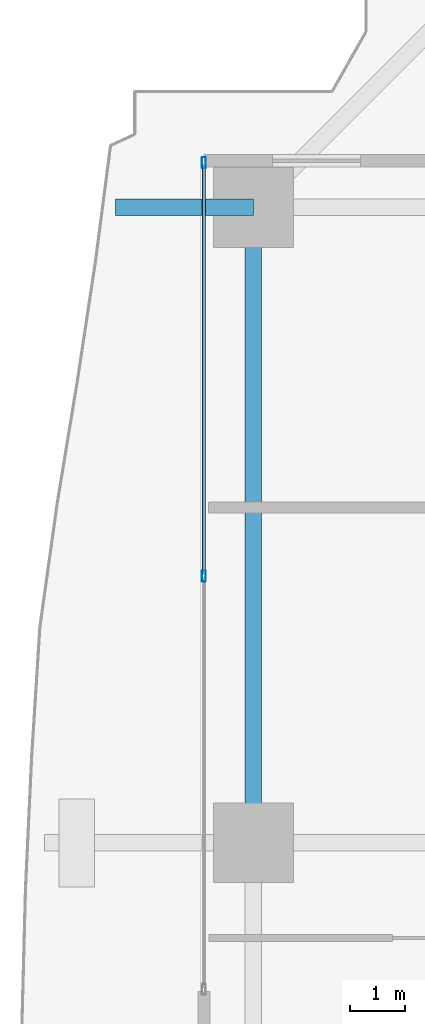
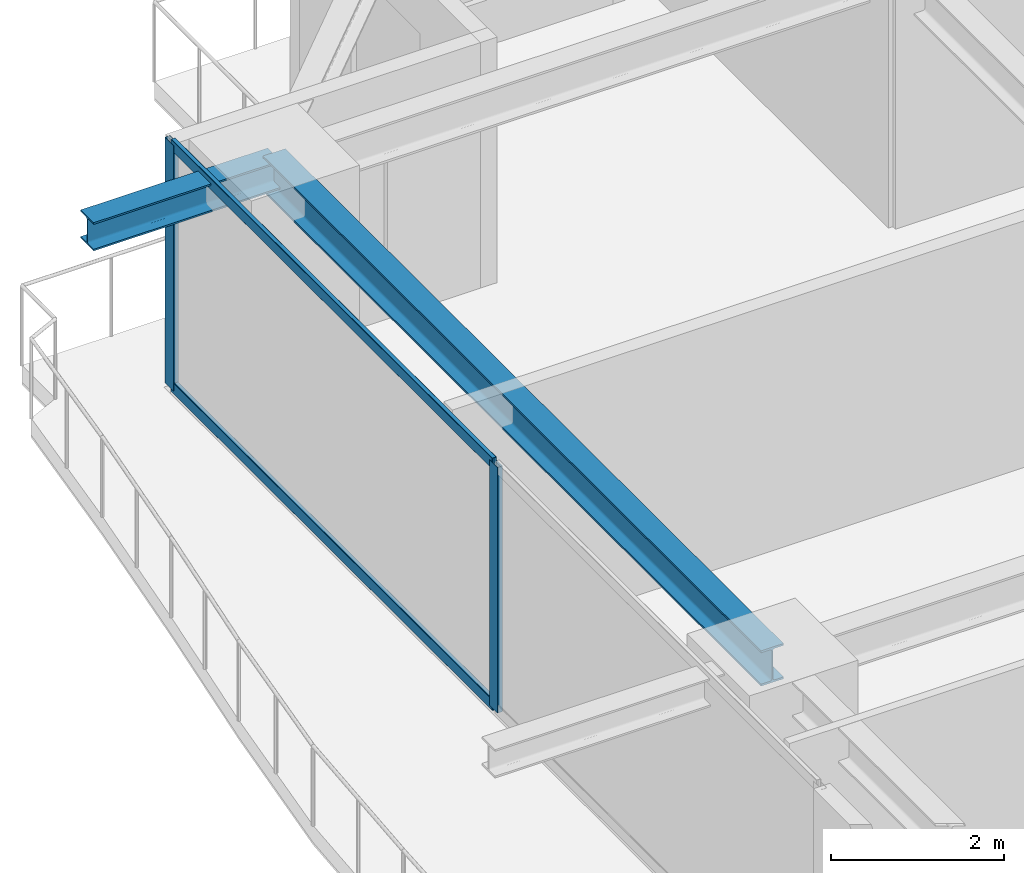
# One storey, part 15 of 36: 4 members, 2 beams, 1 element without a shape of its own.
"""IFC4 building model written with IfcOpenShell, lengths in metres."""

from ifc_helpers import new_model, si_unit, direction, frame, origin, origin_2d, place, context, subcontext, project, spatial, hollow_rectangle, i_section, extrude, source, transform, mapped, material, layer, layer_set, material_profile, profile_set, type_object, element, aggregate, save


model = new_model("IFC4")

# Units and contexts
model_context = context("Model", 3, precision=1e-05, world=origin(), true_north=direction((0.0, 1.0)))
body_context = subcontext(model_context, "Body", "Model", "MODEL_VIEW")
ifc_project = project(units=[si_unit("LENGTHUNIT", "METRE"), si_unit("AREAUNIT", "SQUARE_METRE"), si_unit("VOLUMEUNIT", "CUBIC_METRE"), si_unit("PLANEANGLEUNIT", "RADIAN"), si_unit("MASSUNIT", "GRAM", prefix="KILO")], contexts=[model_context])

# Site, building, storey
site_placement = place(None, origin())
site = spatial("IfcSite", under=ifc_project, at=site_placement, CompositionType="ELEMENT")
building_placement = place(site_placement, origin())
building = spatial("IfcBuilding", under=site, at=building_placement, Name="Serunith Strait Residences", CompositionType="ELEMENT")
storey_placement = place(building_placement, frame((0.0, 0.0, 41.699951171875)))
storey = spatial("IfcBuildingStorey", under=building, at=storey_placement, Name="L09", CompositionType="ELEMENT", Elevation=41.699951171875)

# Beams
ifc_material_1 = material(Name="Steel S355J2", Category="steel")
ifc_material_profile_1 = material_profile(ifc_material_1, i_section(OverallWidth=0.300048828125, OverallDepth=0.5, WebThickness=0.014404296875, FlangeThickness=0.028076171875, FilletRadius=0.027099609375, at=origin_2d()), Name="HEB 500")
ifc_profile_set_1 = profile_set([ifc_material_profile_1], Name="Steel S355J2")
beam_type_1 = type_object("IfcBeamType", Name="BM-HEB500", PredefinedType="BEAM", material=ifc_profile_set_1)
shared_shape_1 = source(origin(), body_context, "Body", "SweptSolid", [
    extrude(i_section(OverallWidth=0.300048828125, OverallDepth=0.5, WebThickness=0.014404296875, FlangeThickness=0.028076171875, FilletRadius=0.027099609375, at=origin_2d()), origin(), (0.0, 0.0, 1.0), 11.550048828125),
])
beam_1_placement = place(storey_placement, frame((6.89990234375, 40.949951171875, 3.237060546875), z_axis=(0.0, -1.0, 0.0), x_axis=(1.0, 0.0, 0.0)))
element("IfcBeam", 1, at=beam_1_placement, inside=storey, type_object=beam_type_1, Name="L09 Perimeter Ring Beam 13", PredefinedType="BEAM", context=body_context, shape_type="MappedRepresentation", body=[
    mapped(shared_shape_1, transform((0.0, 0.0, 0.0), scale=1.0)),
])
ifc_material_profile_2 = material_profile(ifc_material_1, i_section(OverallWidth=0.300048828125, OverallDepth=0.39990234375, WebThickness=0.013427734375, FlangeThickness=0.02392578125, FilletRadius=0.027099609375, at=origin_2d()), Name="HEB 400")
ifc_profile_set_2 = profile_set([ifc_material_profile_2], Name="Steel S355J2")
beam_type_2 = type_object("IfcBeamType", Name="BM-HEB400", PredefinedType="BEAM", material=ifc_profile_set_2)
shared_shape_2 = source(origin(), body_context, "Body", "SweptSolid", [
    extrude(i_section(OverallWidth=0.300048828125, OverallDepth=0.39990234375, WebThickness=0.013427734375, FlangeThickness=0.02392578125, FilletRadius=0.027099609375, at=origin_2d()), origin(), (0.0, 0.0, 1.0), 2.503173828125),
])
beam_2_placement = place(storey_placement, frame((6.89990234375, 40.949951171875, 3.257080078125), z_axis=(-1.0, 0.0, 0.0), x_axis=(0.0, -1.0, 0.0)))
element("IfcBeam", 2, at=beam_2_placement, inside=storey, type_object=beam_type_2, Name="L10 Cantilevered Balcony Rib TC-W4", PredefinedType="BEAM", context=body_context, shape_type="MappedRepresentation", body=[
    mapped(shared_shape_2, transform((0.0, 0.0, 0.0), scale=1.0)),
])

# Curtain wall, members
ifc_material_2 = material(Name="Pale-Champagne Anodised Aluminium", Category="aluminium")
ifc_layer = layer(ifc_material_2, 0.199951171875, Name="Pale-Champagne Anodised Aluminium")
ifc_layer_set = layer_set([ifc_layer], Name="Pale-Champagne Anodised Aluminium")
curtain_wall_type = type_object("IfcCurtainWallType", Name="CW-SYS1", PredefinedType="NOTDEFINED", material=ifc_layer_set)
curtain_wall_placement = place(storey_placement, origin())
curtain_wall = element("IfcCurtainWall", 3, at=curtain_wall_placement, inside=storey, type_object=curtain_wall_type, Name="L09 W Unitised Fritted Curtain Wall", PredefinedType="NOTDEFINED")
ifc_material_profile_3 = material_profile(ifc_material_2, hollow_rectangle(XDim=0.070068359375, YDim=0.199951171875, WallThickness=0.00390625, InnerFilletRadius=0.006103515625, OuterFilletRadius=0.010009765625, at=origin_2d()), Name="ALU 200x70x4")
ifc_profile_set_3 = profile_set([ifc_material_profile_3], Name="Pale-Champagne Anodised Aluminium")
member_type_1 = type_object("IfcMemberType", Name="CW-SYS1-MULL", PredefinedType="MULLION", material=ifc_profile_set_3)
shared_shape_3 = source(origin(), body_context, "Body", "SweptSolid", [
    extrude(hollow_rectangle(XDim=0.070068359375, YDim=0.199951171875, WallThickness=0.00390625, InnerFilletRadius=0.006103515625, OuterFilletRadius=0.010009765625, at=origin_2d()), origin(), (0.0, 0.0, 1.0), 3.47509765625),
])
member_1_placement = place(storey_placement, frame((6.0, 41.764892578125, 0.0), z_axis=(0.0, 0.0, 1.0), x_axis=(1.0, 0.0, 0.0)))
member_1 = element("IfcMember", 4, at=member_1_placement, type_object=member_type_1, Name="CW-1 mullion 1", PredefinedType="MULLION", context=body_context, shape_type="MappedRepresentation", body=[
    mapped(shared_shape_3, transform((0.0, 0.0, 0.0), scale=1.0)),
])
member_2_placement = place(storey_placement, frame((6.0, 34.25, 0.0), z_axis=(0.0, 0.0, 1.0), x_axis=(1.0, 0.0, 0.0)))
member_2 = element("IfcMember", 5, at=member_2_placement, type_object=member_type_1, Name="CW-1 mullion 2", PredefinedType="MULLION", context=body_context, shape_type="MappedRepresentation", body=[
    mapped(shared_shape_3, transform((0.0, 0.0, 0.0), scale=1.0)),
])
ifc_material_profile_4 = material_profile(ifc_material_2, hollow_rectangle(XDim=0.06005859375, YDim=0.159912109375, WallThickness=0.00341796875, InnerFilletRadius=0.00537109375, OuterFilletRadius=0.0087890625, at=origin_2d()), Name="ALU 160x60x3.5")
ifc_profile_set_4 = profile_set([ifc_material_profile_4], Name="Pale-Champagne Anodised Aluminium")
member_type_2 = type_object("IfcMemberType", Name="CW-SYS1-TRAN", PredefinedType="USERDEFINED", material=ifc_profile_set_4)
shared_shape_4 = source(origin(), body_context, "Body", "SweptSolid", [
    extrude(hollow_rectangle(XDim=0.06005859375, YDim=0.159912109375, WallThickness=0.00341796875, InnerFilletRadius=0.00537109375, OuterFilletRadius=0.0087890625, at=origin_2d()), origin(), (0.0, 0.0, 1.0), 7.445068359375),
])
member_3_placement = place(storey_placement, frame((6.0, 41.72998046875, 0.030029296875), z_axis=(0.0, -1.0, 0.0), x_axis=(1.0, 0.0, 0.0)))
member_3 = element("IfcMember", 6, at=member_3_placement, type_object=member_type_2, Name="CW-1 transom 1.1", ObjectType="TRANSOM", PredefinedType="USERDEFINED", context=body_context, shape_type="MappedRepresentation", body=[
    mapped(shared_shape_4, transform((0.0, 0.0, 0.0), scale=1.0)),
])
member_4_placement = place(storey_placement, frame((6.0, 41.72998046875, 3.445068359375), z_axis=(0.0, -1.0, 0.0), x_axis=(1.0, 0.0, 0.0)))
member_4 = element("IfcMember", 7, at=member_4_placement, type_object=member_type_2, Name="CW-1 transom 1.2", ObjectType="TRANSOM", PredefinedType="USERDEFINED", context=body_context, shape_type="MappedRepresentation", body=[
    mapped(shared_shape_4, transform((0.0, 0.0, 0.0), scale=1.0)),
])
aggregate(curtain_wall, [member_1, member_2, member_3, member_4])

save(model, "model.ifc")
